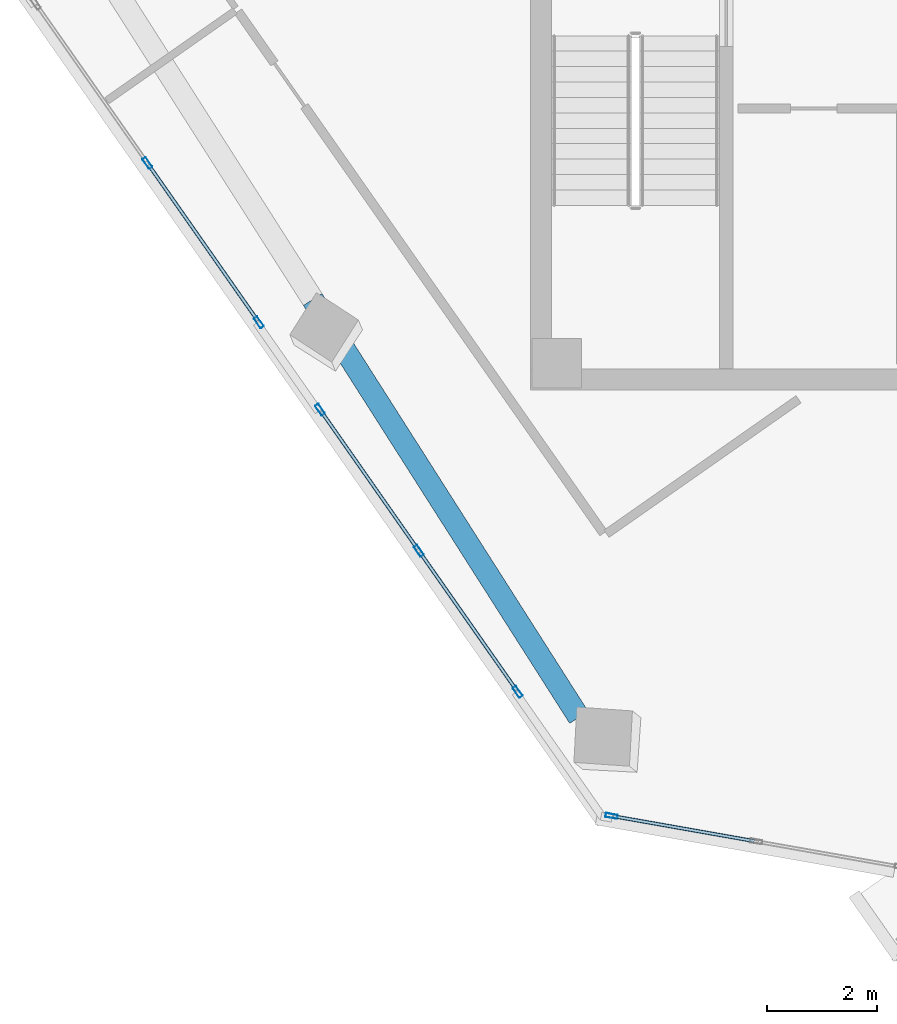
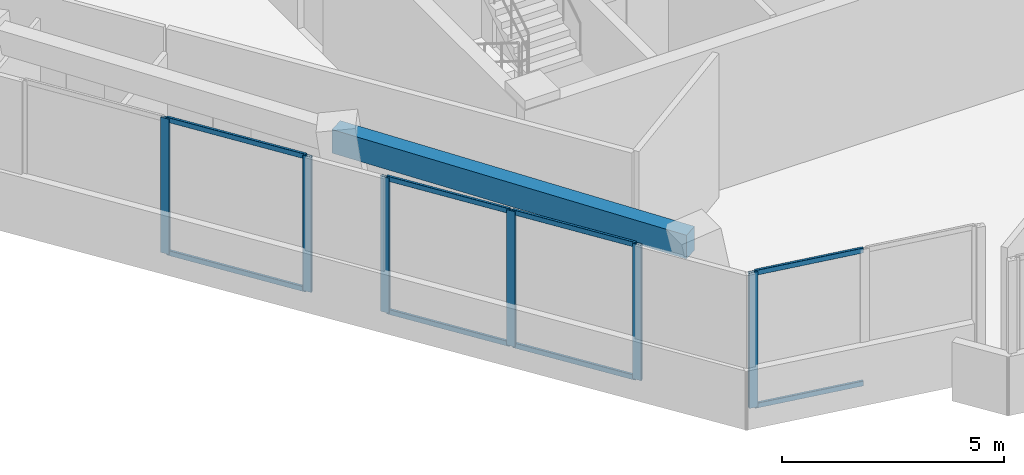
# One storey, part 2 of 15: 14 members, 1 beam, 3 elements without a shape of their own.
"""IFC4 building model written with IfcOpenShell, lengths in metres."""

from ifc_helpers import new_model, si_unit, direction, frame, origin, origin_2d, place, context, subcontext, project, spatial, rectangle, hollow_rectangle, extrude, source, transform, mapped, material, material_profile, profile_set, type_object, element, aggregate, save


model = new_model("IFC4")

# Units and contexts
model_context = context("Model", 3, precision=1e-05, world=origin(), true_north=direction((0.0, 1.0)))
body_context = subcontext(model_context, "Body", "Model", "MODEL_VIEW")
ifc_project = project(units=[si_unit("LENGTHUNIT", "METRE"), si_unit("AREAUNIT", "SQUARE_METRE"), si_unit("VOLUMEUNIT", "CUBIC_METRE"), si_unit("PLANEANGLEUNIT", "RADIAN"), si_unit("MASSUNIT", "GRAM", prefix="KILO")], contexts=[model_context])

# Site, building, storey
site_placement = place(None, origin())
site = spatial("IfcSite", under=ifc_project, at=site_placement, CompositionType="ELEMENT")
building_placement = place(site_placement, origin())
building = spatial("IfcBuilding", under=site, at=building_placement, Name="Torre Montelarca", CompositionType="ELEMENT")
storey_placement = place(building_placement, frame((0.0, 0.0, 303.0)))
storey = spatial("IfcBuildingStorey", under=building, at=storey_placement, Name="L68", CompositionType="ELEMENT", Elevation=303.0)

# Beam
ifc_material_1 = material(Name="Concrete C40/50", Category="concrete")
ifc_material_profile_1 = material_profile(ifc_material_1, rectangle(XDim=0.39990234375, YDim=0.64990234375, at=origin_2d()), Name="RCB400X650", Category="concrete")
ifc_profile_set_1 = profile_set([ifc_material_profile_1], Name="Concrete C40/50")
beam_type = type_object("IfcBeamType", Name="BM-SP-RC650-EXT", PredefinedType="SPANDREL", material=ifc_profile_set_1)
shared_shape_1 = source(origin(), body_context, "Body", "SweptSolid", [
    extrude(rectangle(XDim=0.39990234375, YDim=0.64990234375, at=origin_2d()), origin(), (0.0, 0.0, 1.0), 8.999755859375),
])
beam_placement = place(storey_placement, frame((5.113037109375, 25.710205078125, 3.635009765625), z_axis=(0.537308978211, -0.843385476478, 0.0), x_axis=(0.843385476478, 0.537308978211, 0.0)))
element("IfcBeam", 1, at=beam_placement, inside=storey, type_object=beam_type, Name="L68 Grid Girder X 18.0-27.0 at Y=14.8", PredefinedType="SPANDREL", context=body_context, shape_type="MappedRepresentation", body=[
    mapped(shared_shape_1, transform((0.0, 0.0, 0.0), scale=1.0)),
])

# Curtain wall, members
ifc_material_2 = material(Name="Insulated low-E laminated glass", Category="glass")
curtain_wall_type = type_object("IfcCurtainWallType", Name="CW-SYS-Z4", PredefinedType="USERDEFINED", material=ifc_material_2)
curtain_wall_1_placement = place(storey_placement, origin())
curtain_wall_1 = element("IfcCurtainWall", 2, at=curtain_wall_1_placement, inside=storey, type_object=curtain_wall_type, Name="L68 Curtain Wall Run CW-T3-L68-E01-B1", ObjectType="UNITISED GLAZING", PredefinedType="USERDEFINED")
ifc_material_3 = material(Name="Anodised aluminium AA 6063-T6", Category="aluminium")
ifc_material_profile_2 = material_profile(ifc_material_3, hollow_rectangle(XDim=0.074951171875, YDim=0.219970703125, WallThickness=0.0048828125, InnerFilletRadius=0.0048828125, OuterFilletRadius=0.010009765625, at=origin_2d()), Name="ALU75X220X5", Category="aluminium")
ifc_profile_set_2 = profile_set([ifc_material_profile_2], Name="Anodised aluminium AA 6063-T6")
member_type_1 = type_object("IfcMemberType", Name="CWM-ALU220", PredefinedType="MULLION", material=ifc_profile_set_2)
shared_shape_2 = source(origin(), body_context, "Body", "SweptSolid", [
    extrude(hollow_rectangle(XDim=0.074951171875, YDim=0.219970703125, WallThickness=0.0048828125, InnerFilletRadius=0.0048828125, OuterFilletRadius=0.010009765625, at=origin_2d()), origin(), (0.0, 0.0, 1.0), 3.719970703125),
])
member_1_placement = place(storey_placement, frame((2.109375, 28.188720703125, 0.0), z_axis=(0.0, 0.0, 1.0), x_axis=(0.819156903891, 0.573569496058, 0.0)))
member_1 = element("IfcMember", 3, at=member_1_placement, type_object=member_type_1, Name="CW mullion 2", PredefinedType="MULLION", context=body_context, shape_type="MappedRepresentation", body=[
    mapped(shared_shape_2, transform((0.0, 0.0, 0.0), scale=1.0)),
])
member_2_placement = place(storey_placement, frame((4.135498046875, 25.294921875, 0.0), z_axis=(0.0, 0.0, 1.0), x_axis=(0.819156903891, 0.573569496058, 0.0)))
member_2 = element("IfcMember", 4, at=member_2_placement, type_object=member_type_1, Name="CW mullion 3", PredefinedType="MULLION", context=body_context, shape_type="MappedRepresentation", body=[
    mapped(shared_shape_2, transform((0.0, 0.0, 0.0), scale=1.0)),
])

curtain_wall_2_placement = place(storey_placement, origin())
curtain_wall_2 = element("IfcCurtainWall", 5, at=curtain_wall_2_placement, inside=storey, type_object=curtain_wall_type, Name="L68 Curtain Wall Run CW-T3-L68-E01-B2", ObjectType="UNITISED GLAZING", PredefinedType="USERDEFINED")
member_3_placement = place(storey_placement, frame((5.245361328125, 23.7099609375, 0.0), z_axis=(0.0, 0.0, 1.0), x_axis=(0.819159972992, 0.573565112822, 0.0)))
member_3 = element("IfcMember", 6, at=member_3_placement, type_object=member_type_1, Name="CW mullion 1", PredefinedType="MULLION", context=body_context, shape_type="MappedRepresentation", body=[
    mapped(shared_shape_2, transform((0.0, 0.0, 0.0), scale=1.0)),
])
member_4_placement = place(storey_placement, frame((7.04052734375, 21.146240234375, 0.0), z_axis=(0.0, 0.0, 1.0), x_axis=(0.819159972992, 0.573565112822, 0.0)))
member_4 = element("IfcMember", 7, at=member_4_placement, type_object=member_type_1, Name="CW mullion 2", PredefinedType="MULLION", context=body_context, shape_type="MappedRepresentation", body=[
    mapped(shared_shape_2, transform((0.0, 0.0, 0.0), scale=1.0)),
])
member_5_placement = place(storey_placement, frame((8.835693359375, 18.58251953125, 0.0), z_axis=(0.0, 0.0, 1.0), x_axis=(0.819159972992, 0.573565112822, 0.0)))
member_5 = element("IfcMember", 8, at=member_5_placement, type_object=member_type_1, Name="CW mullion 3", PredefinedType="MULLION", context=body_context, shape_type="MappedRepresentation", body=[
    mapped(shared_shape_2, transform((0.0, 0.0, 0.0), scale=1.0)),
])

# Curtain wall, member
curtain_wall_3_placement = place(storey_placement, origin())
curtain_wall_3 = element("IfcCurtainWall", 9, at=curtain_wall_3_placement, inside=storey, type_object=curtain_wall_type, Name="L68 Curtain Wall Run CW-T3-L68-E02-B1", ObjectType="UNITISED GLAZING", PredefinedType="USERDEFINED")
member_6_placement = place(storey_placement, frame((10.54248046875, 16.3291015625, 0.0), z_axis=(0.0, 0.0, 1.0), x_axis=(0.17364192333, 0.9848088558, 0.0)))
member_6 = element("IfcMember", 10, at=member_6_placement, type_object=member_type_1, Name="CW mullion 1", PredefinedType="MULLION", context=body_context, shape_type="MappedRepresentation", body=[
    mapped(shared_shape_2, transform((0.0, 0.0, 0.0), scale=1.0)),
])

# Member
ifc_material_profile_3 = material_profile(ifc_material_3, hollow_rectangle(XDim=0.06494140625, YDim=0.139892578125, WallThickness=0.00390625, InnerFilletRadius=0.00390625, OuterFilletRadius=0.008056640625, at=origin_2d()), Name="ALU65X140X4", Category="aluminium")
ifc_profile_set_3 = profile_set([ifc_material_profile_3], Name="Anodised aluminium AA 6063-T6")
member_type_2 = type_object("IfcMemberType", Name="CWT-ALU140", PredefinedType="USERDEFINED", material=ifc_profile_set_3)
shared_shape_3 = source(origin(), body_context, "Body", "SweptSolid", [
    extrude(hollow_rectangle(XDim=0.06494140625, YDim=0.139892578125, WallThickness=0.00390625, InnerFilletRadius=0.00390625, OuterFilletRadius=0.008056640625, at=origin_2d()), origin(), (0.0, 0.0, 1.0), 3.45751953125),
])
member_7_placement = place(storey_placement, frame((2.130859375, 28.157958984375, 0.032470703125), z_axis=(0.573571335788, -0.819155615718, 0.0), x_axis=(0.819155615718, 0.573571335788, 0.0)))
member_7 = element("IfcMember", 11, at=member_7_placement, type_object=member_type_2, Name="CW transom 2.1", ObjectType="TRANSOM", PredefinedType="USERDEFINED", context=body_context, shape_type="MappedRepresentation", body=[
    mapped(shared_shape_3, transform((0.0, 0.0, 0.0), scale=1.0)),
])

member_8_placement = place(storey_placement, frame((2.130859375, 28.157958984375, 3.6875), z_axis=(0.573571335788, -0.819155615718, 0.0), x_axis=(0.819155615718, 0.573571335788, 0.0)))
member_8 = element("IfcMember", 12, at=member_8_placement, type_object=member_type_2, Name="CW transom 2.2", ObjectType="TRANSOM", PredefinedType="USERDEFINED", context=body_context, shape_type="MappedRepresentation", body=[
    mapped(shared_shape_3, transform((0.0, 0.0, 0.0), scale=1.0)),
])

aggregate(curtain_wall_1, [member_1, member_2, member_7, member_8])

shared_shape_4 = source(origin(), body_context, "Body", "SweptSolid", [
    extrude(hollow_rectangle(XDim=0.06494140625, YDim=0.139892578125, WallThickness=0.00390625, InnerFilletRadius=0.00390625, OuterFilletRadius=0.008056640625, at=origin_2d()), origin(), (0.0, 0.0, 1.0), 2.592529296875),
])
member_9_placement = place(storey_placement, frame((10.579345703125, 16.322509765625, 0.032470703125), z_axis=(0.984808196894, -0.173645660267, 0.0), x_axis=(0.173645660267, 0.984808196894, 0.0)))
member_9 = element("IfcMember", 13, at=member_9_placement, type_object=member_type_2, Name="CW transom 1.1", ObjectType="TRANSOM", PredefinedType="USERDEFINED", context=body_context, shape_type="MappedRepresentation", body=[
    mapped(shared_shape_4, transform((0.0, 0.0, 0.0), scale=1.0)),
])

member_10_placement = place(storey_placement, frame((10.579345703125, 16.322509765625, 3.6875), z_axis=(0.984808196894, -0.173645660267, 0.0), x_axis=(0.173645660267, 0.984808196894, 0.0)))
member_10 = element("IfcMember", 14, at=member_10_placement, type_object=member_type_2, Name="CW transom 1.2", ObjectType="TRANSOM", PredefinedType="USERDEFINED", context=body_context, shape_type="MappedRepresentation", body=[
    mapped(shared_shape_4, transform((0.0, 0.0, 0.0), scale=1.0)),
])

aggregate(curtain_wall_3, [member_6, member_9, member_10])

shared_shape_5 = source(origin(), body_context, "Body", "SweptSolid", [
    extrude(hollow_rectangle(XDim=0.06494140625, YDim=0.139892578125, WallThickness=0.00390625, InnerFilletRadius=0.00390625, OuterFilletRadius=0.008056640625, at=origin_2d()), origin(), (0.0, 0.0, 1.0), 3.0546875),
])
member_11_placement = place(storey_placement, frame((5.266845703125, 23.67919921875, 0.032470703125), z_axis=(0.573607162262, -0.819130528915, 0.0), x_axis=(0.819130528915, 0.573607162262, 0.0)))
member_11 = element("IfcMember", 15, at=member_11_placement, type_object=member_type_2, Name="CW transom 1.1", ObjectType="TRANSOM", PredefinedType="USERDEFINED", context=body_context, shape_type="MappedRepresentation", body=[
    mapped(shared_shape_5, transform((0.0, 0.0, 0.0), scale=1.0)),
])

member_12_placement = place(storey_placement, frame((5.266845703125, 23.67919921875, 3.6875), z_axis=(0.573607162262, -0.819130528915, 0.0), x_axis=(0.819130528915, 0.573607162262, 0.0)))
member_12 = element("IfcMember", 16, at=member_12_placement, type_object=member_type_2, Name="CW transom 1.2", ObjectType="TRANSOM", PredefinedType="USERDEFINED", context=body_context, shape_type="MappedRepresentation", body=[
    mapped(shared_shape_5, transform((0.0, 0.0, 0.0), scale=1.0)),
])

shared_shape_6 = source(origin(), body_context, "Body", "SweptSolid", [
    extrude(hollow_rectangle(XDim=0.06494140625, YDim=0.139892578125, WallThickness=0.00390625, InnerFilletRadius=0.00390625, OuterFilletRadius=0.008056640625, at=origin_2d()), origin(), (0.0, 0.0, 1.0), 3.054443359375),
])
member_13_placement = place(storey_placement, frame((7.06201171875, 21.115478515625, 0.032470703125), z_axis=(0.573553532273, -0.81916808142, 0.0), x_axis=(0.81916808142, 0.573553532273, 0.0)))
member_13 = element("IfcMember", 17, at=member_13_placement, type_object=member_type_2, Name="CW transom 2.1", ObjectType="TRANSOM", PredefinedType="USERDEFINED", context=body_context, shape_type="MappedRepresentation", body=[
    mapped(shared_shape_6, transform((0.0, 0.0, 0.0), scale=1.0)),
])

member_14_placement = place(storey_placement, frame((7.06201171875, 21.115478515625, 3.6875), z_axis=(0.573553532273, -0.81916808142, 0.0), x_axis=(0.81916808142, 0.573553532273, 0.0)))
member_14 = element("IfcMember", 18, at=member_14_placement, type_object=member_type_2, Name="CW transom 2.2", ObjectType="TRANSOM", PredefinedType="USERDEFINED", context=body_context, shape_type="MappedRepresentation", body=[
    mapped(shared_shape_6, transform((0.0, 0.0, 0.0), scale=1.0)),
])

aggregate(curtain_wall_2, [member_3, member_4, member_5, member_11, member_12, member_13, member_14])

save(model, "model.ifc")
